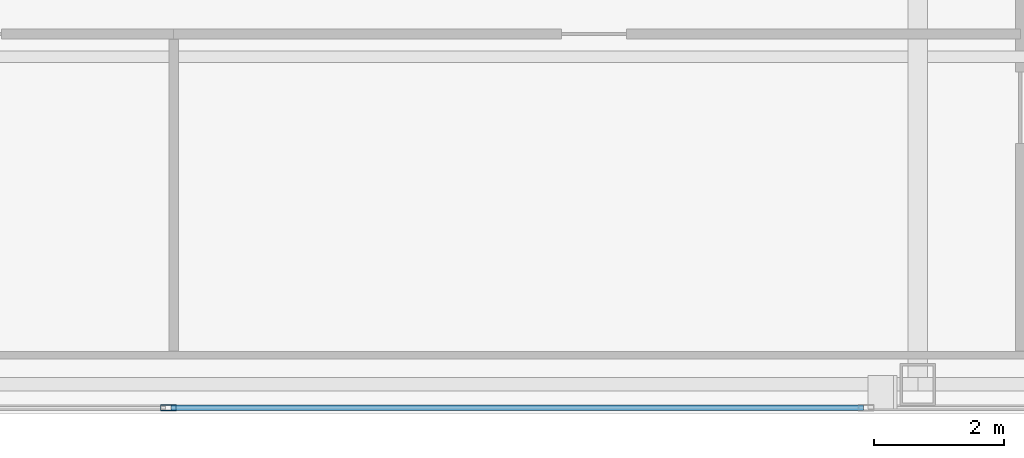
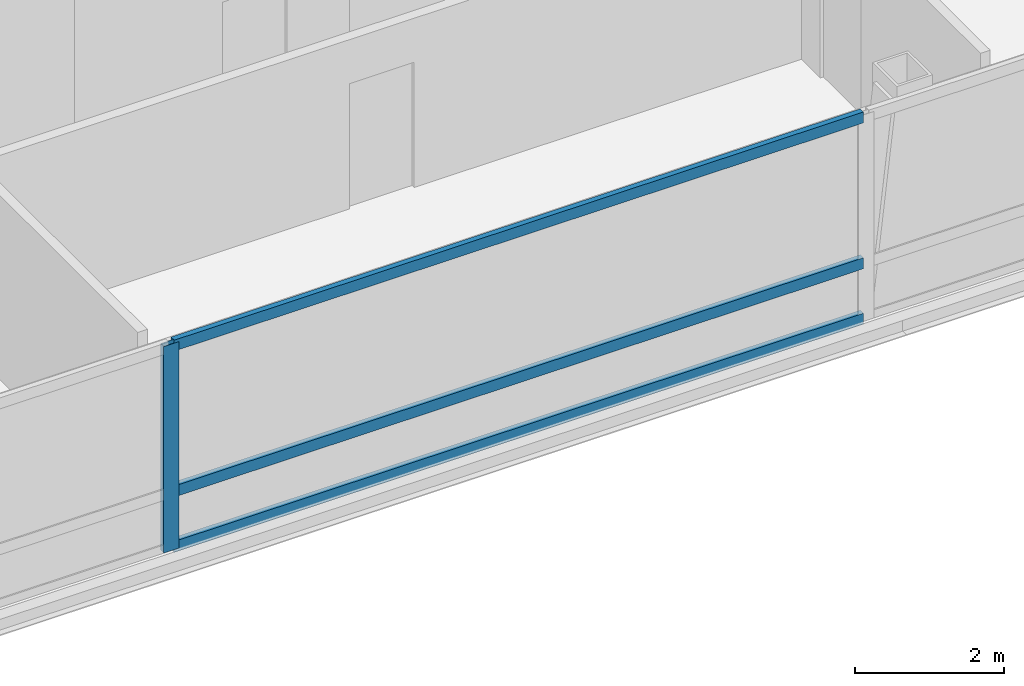
# One storey, part 6 of 24: 4 members, 1 element without a shape of its own.
"""IFC4 building model written with IfcOpenShell, lengths in metres."""

import ifcopenshell
import ifcopenshell.guid

model = None  # the IFC model being written
_history = None  # IfcOwnerHistory: only IFC2X3 demands one
_inside = {}  # id of a spatial element -> (the spatial element, [elements in it])
_under = {}  # id of a project, library or spatial element -> (it, [spatial elements below it])
_declared = {}  # id of a project -> (the project, [libraries it declares])
_typed = {}  # id of a type object -> (the type object, [elements of that type])
_made_of = {}  # id of a material, layer set ... -> (it, [elements and type objects made of it])


def new_model(schema):
    """Start an empty IFC model of exactly this schema.

    Asked for "IFC4X3", IfcOpenShell would pick the latest addendum, in which some entities
    have other attributes; the version numbers below select the first issue.
    IFC2X3 requires an IfcOwnerHistory on every rooted entity: one is made here for all.
    """
    global model, _history
    if schema == "IFC4X3":
        model = ifcopenshell.file(schema_version=(4, 3, 0, 0))
    else:
        model = ifcopenshell.file(schema=schema)
    _inside.clear()
    _under.clear()
    _declared.clear()
    _typed.clear()
    _made_of.clear()
    _history = None
    if model.schema == "IFC2X3":
        org = make("IfcOrganization", Name="unknown")
        user = make(
            "IfcPersonAndOrganization",
            ThePerson=make("IfcPerson", FamilyName="unknown"),
            TheOrganization=org,
        )
        app = make(
            "IfcApplication",
            ApplicationDeveloper=org,
            Version="unknown",
            ApplicationFullName="unknown",
            ApplicationIdentifier="unknown",
        )
        _history = make(
            "IfcOwnerHistory",
            OwningUser=user,
            OwningApplication=app,
            ChangeAction="ADDED",
            CreationDate=0,
        )
    return model


def make(cls, **values):
    """One entity of the class cls with the attributes given. An attribute that is None is left unset."""
    return model.create_entity(
        cls, **{name: value for name, value in values.items() if value is not None}
    )


def rooted(cls, **values):
    """An entity with a GlobalId (a new one), such as an element, a storey or a relation."""
    return make(cls, GlobalId=ifcopenshell.guid.new(), OwnerHistory=_history, **values)


def si_unit(unit_type, name, prefix=None):
    """IfcSIUnit, for example si_unit("LENGTHUNIT", "METRE", prefix="MILLI")."""
    return make("IfcSIUnit", UnitType=unit_type, Prefix=prefix, Name=name)


def assignment(units):
    """IfcUnitAssignment: the units of a project."""
    return None if units is None else make("IfcUnitAssignment", Units=units)


def point(xyz):
    """IfcCartesianPoint."""
    return None if xyz is None else make("IfcCartesianPoint", Coordinates=xyz)


def direction(xyz):
    """IfcDirection."""
    return None if xyz is None else make("IfcDirection", DirectionRatios=xyz)


def frame(location, z_axis=None, x_axis=None):
    """IfcAxis2Placement3D, a coordinate frame: its origin and axes. An axis left out is left unset."""
    return make(
        "IfcAxis2Placement3D",
        Location=point(location),
        Axis=direction(z_axis),
        RefDirection=direction(x_axis),
    )


def frame_2d(location, x_axis=None):
    """IfcAxis2Placement2D, a coordinate frame in the plane: its origin and x axis."""
    return make(
        "IfcAxis2Placement2D", Location=point(location), RefDirection=direction(x_axis)
    )


def origin():
    """The frame at (0, 0, 0) with its axes left unset."""
    return frame((0.0, 0.0, 0.0))


def origin_2d():
    """The frame at (0, 0) in the plane with its x axis left unset."""
    return frame_2d((0.0, 0.0))


def place(relative_to, where):
    """IfcLocalPlacement: puts the frame where relative to a parent placement (None: the world)."""
    return make(
        "IfcLocalPlacement", PlacementRelTo=relative_to, RelativePlacement=where
    )


def context(
    kind, dimensions, precision=None, world=None, true_north=None, identifier=None
):
    """IfcGeometricRepresentationContext, for example the 3D "Model" context."""
    return make(
        "IfcGeometricRepresentationContext",
        ContextIdentifier=identifier,
        ContextType=kind,
        CoordinateSpaceDimension=dimensions,
        Precision=precision,
        WorldCoordinateSystem=world,
        TrueNorth=true_north,
    )


def subcontext(parent, identifier, kind, view, scale=None):
    """IfcGeometricRepresentationSubContext, for example "Body" below "Model"."""
    return make(
        "IfcGeometricRepresentationSubContext",
        ContextIdentifier=identifier,
        ContextType=kind,
        ParentContext=parent,
        TargetScale=scale,
        TargetView=view,
    )


def project(units=None, contexts=None):
    """IfcProject with its units and contexts."""
    return rooted(
        "IfcProject",
        Name="project",
        RepresentationContexts=contexts,
        UnitsInContext=assignment(units),
    )


def spatial(cls, under=None, at=None, **own):
    """A site, building, storey or space (cls), placed at a placement, below another one or the project."""
    s = rooted(cls, ObjectPlacement=at, **own)
    if under is not None:
        _under.setdefault(under.id(), (under, []))[1].append(s)
    return s


def profile(cls, at=None, kind="AREA", **sizes):
    """A parametric profile (cls). Its sizes go by their IFC names, for example OverallWidth=200.0."""
    return make(cls, ProfileType=kind, Position=at, **sizes)


def hollow_rectangle(**sizes):
    """IfcRectangleHollowProfileDef."""
    return profile("IfcRectangleHollowProfileDef", **sizes)


def extrude(swept, where, along, depth):
    """IfcExtrudedAreaSolid: the profile swept, set in the frame where, extruded along a direction by depth."""
    return make(
        "IfcExtrudedAreaSolid",
        SweptArea=swept,
        Position=where,
        ExtrudedDirection=direction(along),
        Depth=depth,
    )


def shape(context_of_items, identifier, shape_type, items):
    """IfcShapeRepresentation: the items that make up one representation, for example the "Body"."""
    return make(
        "IfcShapeRepresentation",
        ContextOfItems=context_of_items,
        RepresentationIdentifier=identifier,
        RepresentationType=shape_type,
        Items=items,
    )


def material(Name=None, Category=None):
    """IfcMaterial."""
    return make("IfcMaterial", Name=Name, Category=Category)


def material_profile(
    of_material, cross_section, Name=None, Category=None, Priority=None
):
    """IfcMaterialProfile: a cross section and its material."""
    return make(
        "IfcMaterialProfile",
        Name=Name,
        Material=of_material,
        Profile=cross_section,
        Priority=Priority,
        Category=Category,
    )


def profile_set(profiles, Name=None, composite=None):
    """IfcMaterialProfileSet."""
    return make(
        "IfcMaterialProfileSet",
        Name=Name,
        MaterialProfiles=profiles,
        CompositeProfile=composite,
    )


def made_of(thing, what):
    """Note that an element or type object is made of a material, layer set ...; save() writes the relation."""
    if what is not None:
        _made_of.setdefault(what.id(), (what, []))[1].append(thing)
    return thing


def type_object(cls, material=None, **own):
    """A type object (cls), such as IfcWallType, which elements share."""
    return made_of(rooted(cls, **own), material)


def element(
    cls,
    number,
    at=None,
    inside=None,
    cuts=None,
    type_object=None,
    material=None,
    context=None,
    identifier="Body",
    shape_type=None,
    held_by="IfcProductDefinitionShape",
    body=None,
    shapes=None,
    **own,
):
    """One element of the class cls, such as IfcWall. Its Tag is "e" and its number.

    at: its placement. inside: the storey or other place that contains it. cuts: it is an
    opening in that element (IfcRelVoidsElement). A single representation is given by context,
    identifier, shape_type and body (its items); several are given by shapes. held_by: the class
    of the entity that holds the representations. save() writes the other relations.
    """
    e = rooted(cls, Tag="e%d" % number, ObjectPlacement=at, **own)
    if body is not None:
        shapes = [shape(context, identifier, shape_type, body)]
    if shapes is not None:
        e.Representation = make(held_by, Representations=shapes)
    if inside is not None:
        _inside.setdefault(inside.id(), (inside, []))[1].append(e)
    if cuts is not None:
        rooted(
            "IfcRelVoidsElement", RelatingBuildingElement=cuts, RelatedOpeningElement=e
        )
    if type_object is not None:
        _typed.setdefault(type_object.id(), (type_object, []))[1].append(e)
    return made_of(e, material)


def aggregate(whole, parts):
    """IfcRelAggregates: a whole, such as a stair, and the parts it consists of."""
    return rooted("IfcRelAggregates", RelatingObject=whole, RelatedObjects=parts)


def save(model, path):
    """Write the relations noted so far, then the file.

    IfcRelAggregates (storeys below a building ...), IfcRelContainedInSpatialStructure (elements
    in a storey), IfcRelDefinesByType, IfcRelAssociatesMaterial and IfcRelDeclares: one each for
    every whole, place, type object, material and project.
    """
    for whole, parts in _under.values():
        aggregate(whole, parts)
    for where, things in _inside.values():
        rooted(
            "IfcRelContainedInSpatialStructure",
            RelatedElements=things,
            RelatingStructure=where,
        )
    for kind, things in _typed.values():
        rooted("IfcRelDefinesByType", RelatedObjects=things, RelatingType=kind)
    for what, things in _made_of.values():
        rooted("IfcRelAssociatesMaterial", RelatedObjects=things, RelatingMaterial=what)
    for by, libraries in _declared.values():
        rooted("IfcRelDeclares", RelatingContext=by, RelatedDefinitions=libraries)
    model.write(path)


model = new_model("IFC4")

# Units and contexts
model_context = context("Model", 3, precision=1e-05, world=origin(), true_north=direction((0.0, 1.0)))
body_context = subcontext(model_context, "Body", "Model", "MODEL_VIEW")
ifc_project = project(units=[si_unit("LENGTHUNIT", "METRE"), si_unit("AREAUNIT", "SQUARE_METRE"), si_unit("VOLUMEUNIT", "CUBIC_METRE"), si_unit("PLANEANGLEUNIT", "RADIAN"), si_unit("MASSUNIT", "GRAM", prefix="KILO")], contexts=[model_context])

# Site, building, storey
site_placement = place(None, origin())
site = spatial("IfcSite", under=ifc_project, at=site_placement, CompositionType="ELEMENT")
building_placement = place(site_placement, origin())
building = spatial("IfcBuilding", under=site, at=building_placement, Name="Khoronbel Lancet Exchange", CompositionType="ELEMENT")
storey_placement = place(building_placement, frame((0.0, 0.0, 347.0)))
storey = spatial("IfcBuildingStorey", under=building, at=storey_placement, Name="L90", CompositionType="ELEMENT", Elevation=347.0)

# Curtain wall, members
ifc_material_1 = material(Name="Low-E Solar Control Insulating Glass", Category="glass")
curtain_wall_type = type_object("IfcCurtainWallType", Name="CW-3", PredefinedType="NOTDEFINED", material=ifc_material_1)
curtain_wall_placement = place(storey_placement, origin())
curtain_wall = element("IfcCurtainWall", 1, at=curtain_wall_placement, inside=storey, type_object=curtain_wall_type, Name="Unitised curtain wall CW-L90-E12", PredefinedType="NOTDEFINED")
ifc_material_2 = material(Name="Bronze-Anodised Aluminium 6063-T6", Category="aluminium")
ifc_material_profile_1 = material_profile(ifc_material_2, hollow_rectangle(XDim=0.0849609375, YDim=0.239990234375, WallThickness=0.006103515625, at=origin_2d()), Name="ALU MULLION 85x240")
ifc_profile_set_1 = profile_set([ifc_material_profile_1], Name="Bronze-Anodised Aluminium 6063-T6")
member_type_1 = type_object("IfcMemberType", Name="MEM-CWM1", PredefinedType="MULLION", material=ifc_profile_set_1)
member_1_placement = place(storey_placement, frame((36.449951171875, 9.7900390625, 0.0), z_axis=(0.0, 0.0, 1.0), x_axis=(0.0, -1.0, 0.0)))
member_1 = element("IfcMember", 2, at=member_1_placement, type_object=member_type_1, Name="CW3 mullion 3", PredefinedType="MULLION", context=body_context, shape_type="SweptSolid", body=[
    extrude(hollow_rectangle(XDim=0.0849609375, YDim=0.239990234375, WallThickness=0.006103515625, at=origin_2d()), origin(), (0.0, 0.0, 1.0), 3.3798828125),
])
ifc_material_profile_2 = material_profile(ifc_material_2, hollow_rectangle(XDim=0.0849609375, YDim=0.179931640625, WallThickness=0.0048828125, at=origin_2d()), Name="ALU TRANSOM 85x180")
ifc_profile_set_2 = profile_set([ifc_material_profile_2], Name="Bronze-Anodised Aluminium 6063-T6")
member_type_2 = type_object("IfcMemberType", Name="MEM-CWT1", PredefinedType="USERDEFINED", material=ifc_profile_set_2)
member_2_placement = place(storey_placement, frame((47.16259765625, 9.7900390625, 0.04248046875), z_axis=(-1.0, 0.0, 0.0), x_axis=(0.0, -1.0, 0.0)))
member_2 = element("IfcMember", 3, at=member_2_placement, type_object=member_type_2, Name="CW3 transom 2.1", ObjectType="TRANSOM", PredefinedType="USERDEFINED", context=body_context, shape_type="SweptSolid", body=[
    extrude(hollow_rectangle(XDim=0.0849609375, YDim=0.179931640625, WallThickness=0.0048828125, at=origin_2d()), origin(), (0.0, 0.0, 1.0), 10.670166015625),
])
member_3_placement = place(storey_placement, frame((47.16259765625, 9.7900390625, 0.949951171875), z_axis=(-1.0, 0.0, 0.0), x_axis=(0.0, -1.0, 0.0)))
member_3 = element("IfcMember", 4, at=member_3_placement, type_object=member_type_2, Name="CW3 transom 2.2", ObjectType="TRANSOM", PredefinedType="USERDEFINED", context=body_context, shape_type="SweptSolid", body=[
    extrude(hollow_rectangle(XDim=0.0849609375, YDim=0.179931640625, WallThickness=0.0048828125, at=origin_2d()), origin(), (0.0, 0.0, 1.0), 10.670166015625),
])
member_4_placement = place(storey_placement, frame((47.16259765625, 9.7900390625, 3.33740234375), z_axis=(-1.0, 0.0, 0.0), x_axis=(0.0, -1.0, 0.0)))
member_4 = element("IfcMember", 5, at=member_4_placement, type_object=member_type_2, Name="CW3 transom 2.3", ObjectType="TRANSOM", PredefinedType="USERDEFINED", context=body_context, shape_type="SweptSolid", body=[
    extrude(hollow_rectangle(XDim=0.0849609375, YDim=0.179931640625, WallThickness=0.0048828125, at=origin_2d()), origin(), (0.0, 0.0, 1.0), 10.670166015625),
])
aggregate(curtain_wall, [member_1, member_2, member_3, member_4])

save(model, "model.ifc")
